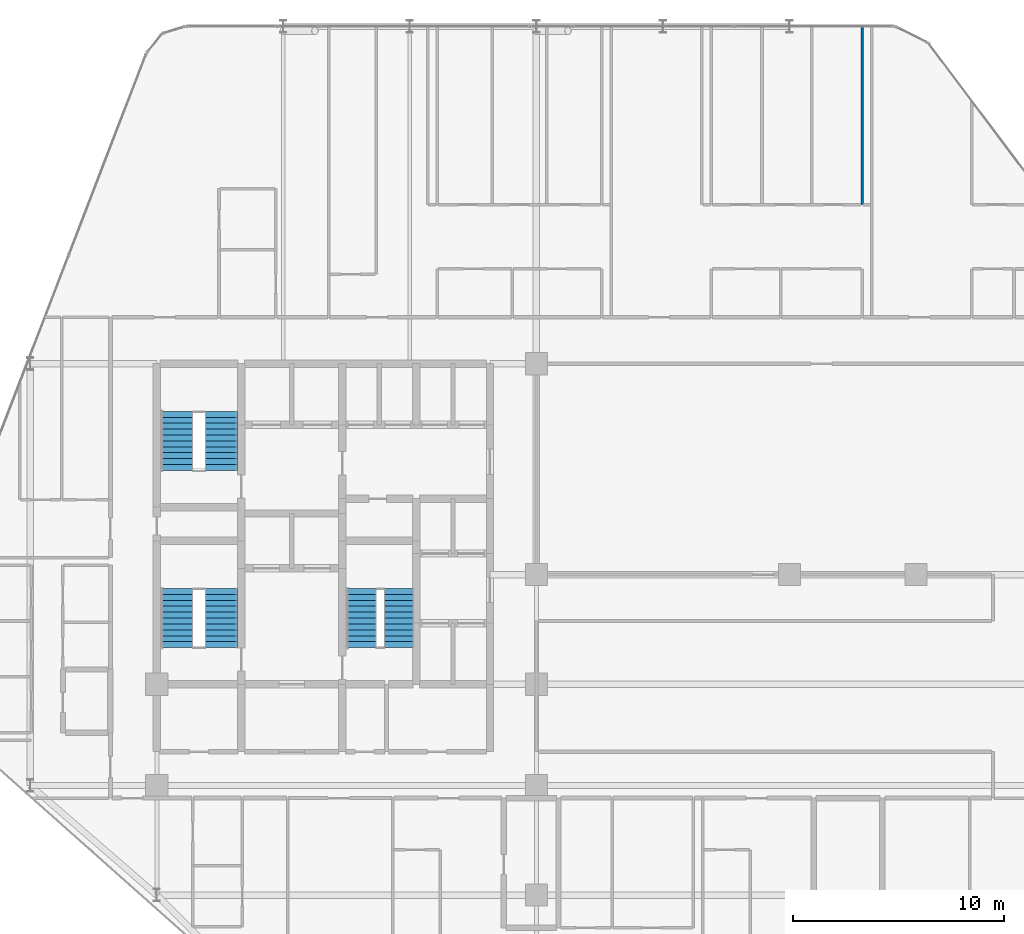
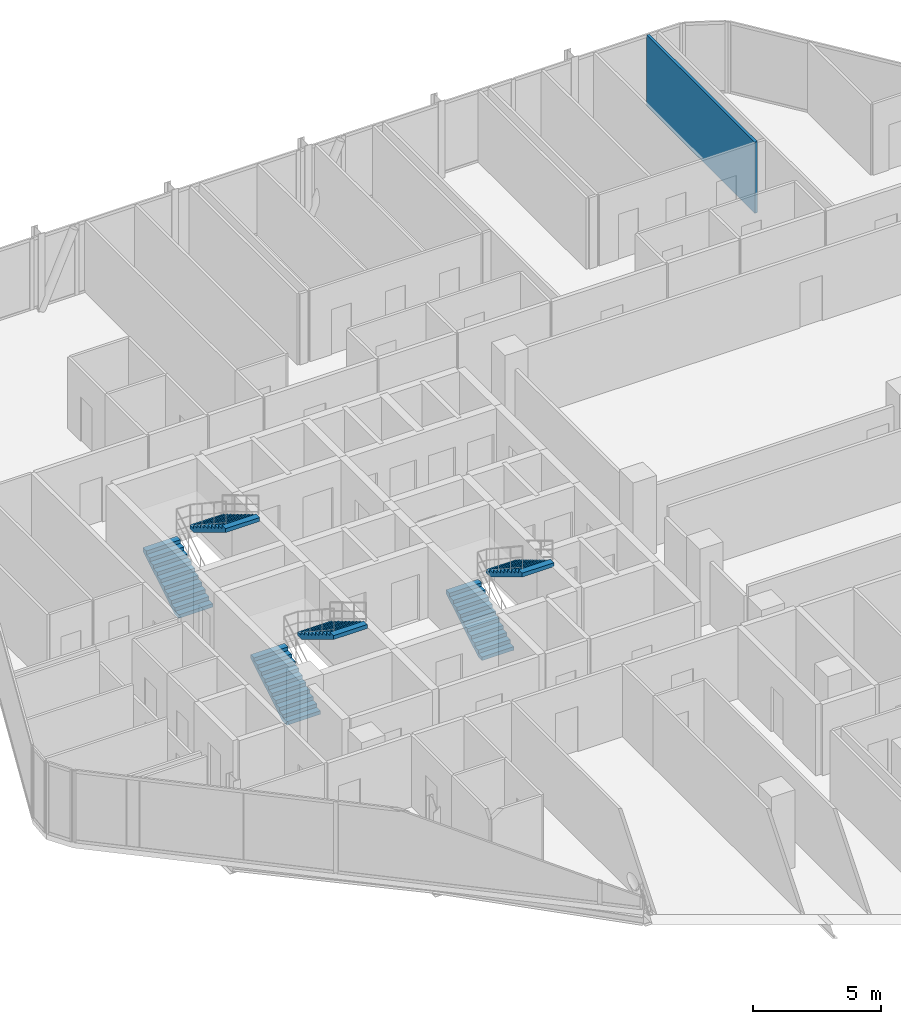
# One storey, part 28 of 29: 6 stair flights, 1 wall, 3 elements without a shape of their own.
"""IFC4 building model written with IfcOpenShell, lengths in metres."""

from ifc_helpers import new_model, si_unit, direction, frame, frame_2d, origin, place, context, subcontext, project, spatial, polyline, rectangle, outline, extrude, material, layer, layer_set, type_object, element, aggregate, save


model = new_model("IFC4")

# Units and contexts
model_context = context("Model", 3, precision=1e-05, world=origin(), true_north=direction((0.0, 1.0)))
body_context = subcontext(model_context, "Body", "Model", "MODEL_VIEW")
ifc_project = project(units=[si_unit("LENGTHUNIT", "METRE"), si_unit("AREAUNIT", "SQUARE_METRE"), si_unit("VOLUMEUNIT", "CUBIC_METRE"), si_unit("PLANEANGLEUNIT", "RADIAN"), si_unit("MASSUNIT", "GRAM", prefix="KILO")], contexts=[model_context])

# Site, building, storey
site_placement = place(None, origin())
site = spatial("IfcSite", under=ifc_project, at=site_placement, CompositionType="ELEMENT")
building_placement = place(site_placement, origin())
building = spatial("IfcBuilding", under=site, at=building_placement, Name="Keshet Zoharim Tower", CompositionType="ELEMENT")
storey_placement = place(building_placement, frame((0.0, 0.0, 105.699951171875)))
storey = spatial("IfcBuildingStorey", under=building, at=storey_placement, Name="L25", CompositionType="ELEMENT", Elevation=105.699951171875)

# Wall
ifc_material_1 = material(Name="Gypsum Plasterboard", Category="gypsum")
ifc_layer = layer(ifc_material_1, 0.1201171875)
ifc_layer_set = layer_set([ifc_layer], Name="Gypsum Plasterboard")
wall_type = type_object("IfcWallType", Name="WL-PART-120", PredefinedType="PARTITIONING", material=ifc_layer_set)
wall_placement = place(storey_placement, frame((48.449951171875, 45.449951171875, 0.0), z_axis=(0.0, 0.0, 1.0), x_axis=(0.0, 1.0, 0.0)))
element("IfcWall", 1, at=wall_placement, inside=storey, type_object=wall_type, Name="L25 Interior Wall 096", PredefinedType="PARTITIONING", context=body_context, shape_type="SweptSolid", body=[
    extrude(rectangle(XDim=8.43994140625, YDim=0.1201171875, at=frame_2d((4.219970703125, 0.0))), origin(), (0.0, 0.0, 1.0), 3.385009765625),
])

# Stair, stair flights
ifc_material_2 = material(Name="Concrete C50/60", Category="concrete")
stair_type = type_object("IfcStairType", Name="STR-EXIT-135", PredefinedType="HALF_TURN_STAIR", material=ifc_material_2)
stair_1_placement = place(storey_placement, origin())
stair_1 = element("IfcStair", 2, at=stair_1_placement, inside=storey, type_object=stair_type, Name="L25 Enclosed Exit Stair ST-01", PredefinedType="HALF_TURN_STAIR")
stair_flight_type_1 = type_object("IfcStairFlightType", Name="FLT-PRE-135", PredefinedType="STRAIGHT", material=ifc_material_2)
stair_flight_1_placement = place(storey_placement, frame((15.945068359375, 24.43994140625, 0.0), z_axis=(0.0, 0.0, 1.0), x_axis=(0.0, 1.0, 0.0)))
stair_flight_1 = element("IfcStairFlight", 3, at=stair_flight_1_placement, type_object=stair_flight_type_1, Name="ST-01 flight 1", NumberOfRisers=11, NumberOfTreads=10, PredefinedType="STRAIGHT", RiserHeight=0.168182, TreadLength=0.28, context=body_context, shape_type="SweptSolid", body=[
    extrude(outline(polyline([(0.0, 0.0), (0.0, 0.168212890625), (0.280029296875, 0.168212890625), (0.280029296875, 0.33642578125), (0.56005859375, 0.33642578125), (0.56005859375, 0.504638671875), (0.840087890625, 0.504638671875), (0.840087890625, 0.672607421875), (1.1201171875, 0.672607421875), (1.1201171875, 0.8408203125), (1.39990234375, 0.8408203125), (1.39990234375, 1.009033203125), (1.679931640625, 1.009033203125), (1.679931640625, 1.17724609375), (1.9599609375, 1.17724609375), (1.9599609375, 1.345458984375), (2.239990234375, 1.345458984375), (2.239990234375, 1.513671875), (2.52001953125, 1.513671875), (2.52001953125, 1.681884765625), (2.800048828125, 1.681884765625), (2.800048828125, 1.85009765625), (2.800048828125, 1.495361328125), (0.310546875, 0.0), (0.0, 0.0)])), frame((0.0, 0.76513671875, 0.0), z_axis=(0.0, -1.0, 0.0), x_axis=(1.0, 0.0, 0.0)), (0.0, 0.0, 1.0), 1.530029296875),
])
stair_flight_2_placement = place(storey_placement, frame((18.054931640625, 27.239990234375, 1.85009765625), z_axis=(0.0, 0.0, 1.0), x_axis=(0.0, -1.0, 0.0)))
stair_flight_2 = element("IfcStairFlight", 4, at=stair_flight_2_placement, type_object=stair_flight_type_1, Name="ST-01 flight 2", NumberOfRisers=11, NumberOfTreads=10, PredefinedType="STRAIGHT", RiserHeight=0.168182, TreadLength=0.28, context=body_context, shape_type="SweptSolid", body=[
    extrude(outline(polyline([(0.0, 0.0), (0.0, 0.168212890625), (0.280029296875, 0.168212890625), (0.280029296875, 0.33642578125), (0.56005859375, 0.33642578125), (0.56005859375, 0.504638671875), (0.840087890625, 0.504638671875), (0.840087890625, 0.672607421875), (1.1201171875, 0.672607421875), (1.1201171875, 0.8408203125), (1.39990234375, 0.8408203125), (1.39990234375, 1.009033203125), (1.679931640625, 1.009033203125), (1.679931640625, 1.17724609375), (1.9599609375, 1.17724609375), (1.9599609375, 1.345458984375), (2.239990234375, 1.345458984375), (2.239990234375, 1.513671875), (2.52001953125, 1.513671875), (2.52001953125, 1.681884765625), (2.800048828125, 1.681884765625), (2.800048828125, 1.85009765625), (2.800048828125, 1.495361328125), (0.310546875, 0.0), (0.0, 0.0)])), frame((0.0, 0.76513671875, 0.0), z_axis=(0.0, -1.0, 0.0), x_axis=(1.0, 0.0, 0.0)), (0.0, 0.0, 1.0), 1.530029296875),
])
aggregate(stair_1, [stair_flight_1, stair_flight_2])

stair_2_placement = place(storey_placement, origin())
stair_2 = element("IfcStair", 5, at=stair_2_placement, inside=storey, type_object=stair_type, Name="L25 Enclosed Exit Stair ST-02", PredefinedType="HALF_TURN_STAIR")
stair_flight_3_placement = place(storey_placement, frame((15.945068359375, 32.840087890625, 0.0), z_axis=(0.0, 0.0, 1.0), x_axis=(0.0, 1.0, 0.0)))
stair_flight_3 = element("IfcStairFlight", 6, at=stair_flight_3_placement, type_object=stair_flight_type_1, Name="ST-02 flight 1", NumberOfRisers=11, NumberOfTreads=10, PredefinedType="STRAIGHT", RiserHeight=0.168182, TreadLength=0.28, context=body_context, shape_type="SweptSolid", body=[
    extrude(outline(polyline([(0.0, 0.0), (0.0, 0.168212890625), (0.280029296875, 0.168212890625), (0.280029296875, 0.33642578125), (0.56005859375, 0.33642578125), (0.56005859375, 0.504638671875), (0.840087890625, 0.504638671875), (0.840087890625, 0.672607421875), (1.1201171875, 0.672607421875), (1.1201171875, 0.8408203125), (1.39990234375, 0.8408203125), (1.39990234375, 1.009033203125), (1.679931640625, 1.009033203125), (1.679931640625, 1.17724609375), (1.9599609375, 1.17724609375), (1.9599609375, 1.345458984375), (2.239990234375, 1.345458984375), (2.239990234375, 1.513671875), (2.52001953125, 1.513671875), (2.52001953125, 1.681884765625), (2.800048828125, 1.681884765625), (2.800048828125, 1.85009765625), (2.800048828125, 1.495361328125), (0.310546875, 0.0), (0.0, 0.0)])), frame((0.0, 0.76513671875, 0.0), z_axis=(0.0, -1.0, 0.0), x_axis=(1.0, 0.0, 0.0)), (0.0, 0.0, 1.0), 1.530029296875),
])
stair_flight_4_placement = place(storey_placement, frame((18.054931640625, 35.639892578125, 1.85009765625), z_axis=(0.0, 0.0, 1.0), x_axis=(0.0, -1.0, 0.0)))
stair_flight_4 = element("IfcStairFlight", 7, at=stair_flight_4_placement, type_object=stair_flight_type_1, Name="ST-02 flight 2", NumberOfRisers=11, NumberOfTreads=10, PredefinedType="STRAIGHT", RiserHeight=0.168182, TreadLength=0.28, context=body_context, shape_type="SweptSolid", body=[
    extrude(outline(polyline([(0.0, 0.0), (0.0, 0.168212890625), (0.280029296875, 0.168212890625), (0.280029296875, 0.33642578125), (0.56005859375, 0.33642578125), (0.56005859375, 0.504638671875), (0.840087890625, 0.504638671875), (0.840087890625, 0.672607421875), (1.1201171875, 0.672607421875), (1.1201171875, 0.8408203125), (1.39990234375, 0.8408203125), (1.39990234375, 1.009033203125), (1.679931640625, 1.009033203125), (1.679931640625, 1.17724609375), (1.9599609375, 1.17724609375), (1.9599609375, 1.345458984375), (2.239990234375, 1.345458984375), (2.239990234375, 1.513671875), (2.52001953125, 1.513671875), (2.52001953125, 1.681884765625), (2.800048828125, 1.681884765625), (2.800048828125, 1.85009765625), (2.800048828125, 1.495361328125), (0.310546875, 0.0), (0.0, 0.0)])), frame((0.0, 0.76513671875, 0.0), z_axis=(0.0, -1.0, 0.0), x_axis=(1.0, 0.0, 0.0)), (0.0, 0.0, 1.0), 1.530029296875),
])
aggregate(stair_2, [stair_flight_3, stair_flight_4])

stair_3_placement = place(storey_placement, origin())
stair_3 = element("IfcStair", 8, at=stair_3_placement, inside=storey, type_object=stair_type, Name="L25 Enclosed Exit Stair ST-03", PredefinedType="HALF_TURN_STAIR")
stair_flight_type_2 = type_object("IfcStairFlightType", Name="FLT-PRE-144", PredefinedType="STRAIGHT", material=ifc_material_2)
stair_flight_5_placement = place(storey_placement, frame((24.699951171875, 24.43994140625, 0.0), z_axis=(0.0, 0.0, 1.0), x_axis=(0.0, 1.0, 0.0)))
stair_flight_5 = element("IfcStairFlight", 9, at=stair_flight_5_placement, type_object=stair_flight_type_2, Name="ST-03 flight 1", NumberOfRisers=11, NumberOfTreads=10, PredefinedType="STRAIGHT", RiserHeight=0.168182, TreadLength=0.28, context=body_context, shape_type="SweptSolid", body=[
    extrude(outline(polyline([(0.0, 0.0), (0.0, 0.168212890625), (0.280029296875, 0.168212890625), (0.280029296875, 0.33642578125), (0.56005859375, 0.33642578125), (0.56005859375, 0.504638671875), (0.840087890625, 0.504638671875), (0.840087890625, 0.672607421875), (1.1201171875, 0.672607421875), (1.1201171875, 0.8408203125), (1.39990234375, 0.8408203125), (1.39990234375, 1.009033203125), (1.679931640625, 1.009033203125), (1.679931640625, 1.17724609375), (1.9599609375, 1.17724609375), (1.9599609375, 1.345458984375), (2.239990234375, 1.345458984375), (2.239990234375, 1.513671875), (2.52001953125, 1.513671875), (2.52001953125, 1.681884765625), (2.800048828125, 1.681884765625), (2.800048828125, 1.85009765625), (2.800048828125, 1.495361328125), (0.310546875, 0.0), (0.0, 0.0)])), frame((0.0, 0.719970703125, 0.0), z_axis=(0.0, -1.0, 0.0), x_axis=(1.0, 0.0, 0.0)), (0.0, 0.0, 1.0), 1.43994140625),
])
stair_flight_6_placement = place(storey_placement, frame((26.5, 27.239990234375, 1.85009765625), z_axis=(0.0, 0.0, 1.0), x_axis=(0.0, -1.0, 0.0)))
stair_flight_6 = element("IfcStairFlight", 10, at=stair_flight_6_placement, type_object=stair_flight_type_2, Name="ST-03 flight 2", NumberOfRisers=11, NumberOfTreads=10, PredefinedType="STRAIGHT", RiserHeight=0.168182, TreadLength=0.28, context=body_context, shape_type="SweptSolid", body=[
    extrude(outline(polyline([(0.0, 0.0), (0.0, 0.168212890625), (0.280029296875, 0.168212890625), (0.280029296875, 0.33642578125), (0.56005859375, 0.33642578125), (0.56005859375, 0.504638671875), (0.840087890625, 0.504638671875), (0.840087890625, 0.672607421875), (1.1201171875, 0.672607421875), (1.1201171875, 0.8408203125), (1.39990234375, 0.8408203125), (1.39990234375, 1.009033203125), (1.679931640625, 1.009033203125), (1.679931640625, 1.17724609375), (1.9599609375, 1.17724609375), (1.9599609375, 1.345458984375), (2.239990234375, 1.345458984375), (2.239990234375, 1.513671875), (2.52001953125, 1.513671875), (2.52001953125, 1.681884765625), (2.800048828125, 1.681884765625), (2.800048828125, 1.85009765625), (2.800048828125, 1.495361328125), (0.310546875, 0.0), (0.0, 0.0)])), frame((0.0, 0.719970703125, 0.0), z_axis=(0.0, -1.0, 0.0), x_axis=(1.0, 0.0, 0.0)), (0.0, 0.0, 1.0), 1.43994140625),
])
aggregate(stair_3, [stair_flight_5, stair_flight_6])

save(model, "model.ifc")
